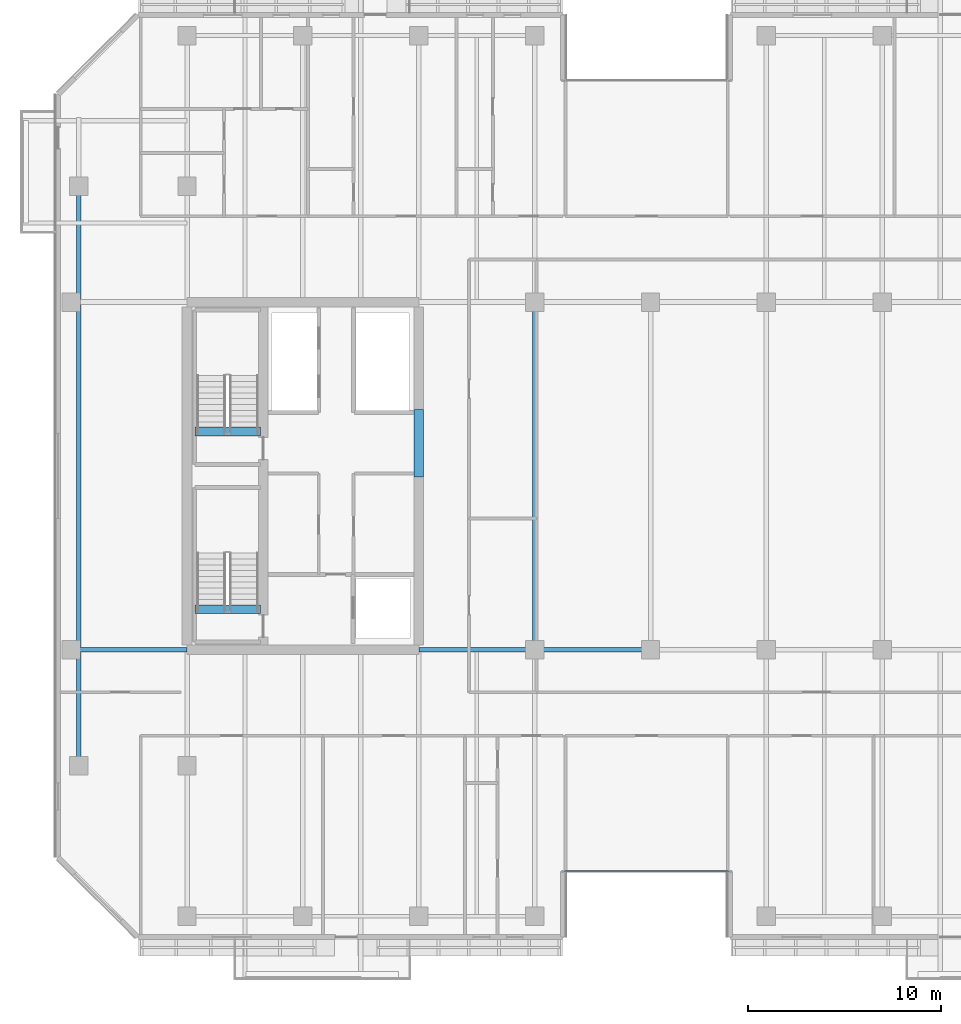
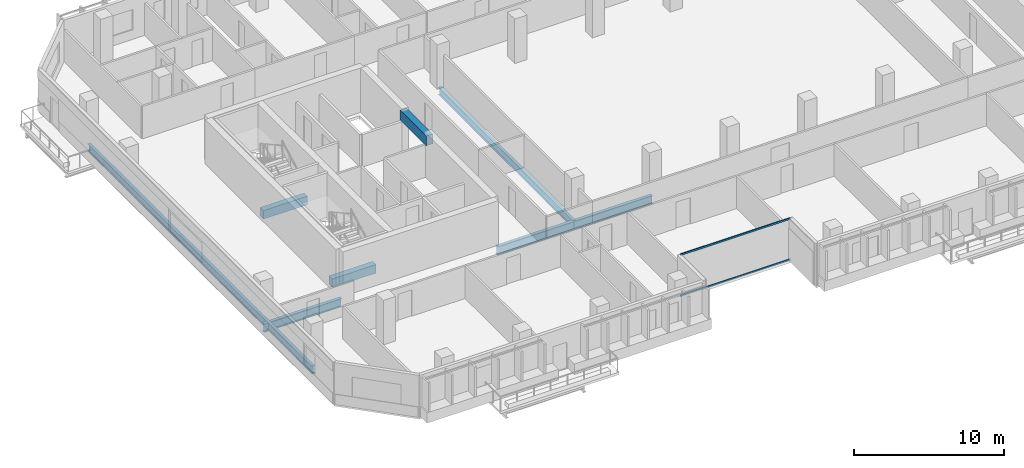
# One storey, part 3 of 22: 8 beams, 2 members, 1 element without a shape of its own.
"""IFC4 building model written with IfcOpenShell, lengths in metres."""

from ifc_helpers import new_model, si_unit, direction, frame, origin, origin_2d, place, context, subcontext, project, spatial, rectangle, hollow_rectangle, i_section, extrude, material, layer, layer_set, material_profile, profile_set, type_object, element, aggregate, save


model = new_model("IFC4")

# Units and contexts
model_context = context("Model", 3, precision=1e-05, world=origin(), true_north=direction((0.0, 1.0)))
body_context = subcontext(model_context, "Body", "Model", "MODEL_VIEW")
ifc_project = project(units=[si_unit("LENGTHUNIT", "METRE"), si_unit("AREAUNIT", "SQUARE_METRE"), si_unit("VOLUMEUNIT", "CUBIC_METRE"), si_unit("PLANEANGLEUNIT", "RADIAN"), si_unit("MASSUNIT", "GRAM", prefix="KILO")], contexts=[model_context])

# Site, building, storey
site_placement = place(None, origin())
site = spatial("IfcSite", under=ifc_project, at=site_placement, CompositionType="ELEMENT")
building_placement = place(site_placement, origin())
building = spatial("IfcBuilding", under=site, at=building_placement, Name="Tanjung Sevakor Pilgrim Tower", CompositionType="ELEMENT")
storey_placement = place(building_placement, frame((0.0, 0.0, 115.830078125)))
storey = spatial("IfcBuildingStorey", under=building, at=storey_placement, Name="L32", CompositionType="ELEMENT", Elevation=115.830078125)

# Beams
ifc_material_1 = material(Name="Steel S355J2", Category="steel")
ifc_material_profile_1 = material_profile(ifc_material_1, i_section(OverallWidth=0.25439453125, OverallDepth=0.6875, WebThickness=0.01318359375, FlangeThickness=0.02099609375, FilletRadius=0.01513671875, at=origin_2d()))
ifc_profile_set_1 = profile_set([ifc_material_profile_1], Name="Steel S355J2")
beam_type_1 = type_object("IfcBeamType", Name="BM-B-G2-UB_686x254x152", PredefinedType="BEAM", material=ifc_profile_set_1)
for number, where, z_axis, x_axis, name in (
    (1, (18.0, 24.60009765625, -0.56396484375), (1.0, 0.0, 0.0), (0.0, 1.0, 0.0), "L32 Primary Floor Girder MAIN Y246-01"),
    (2, (36.0, 24.60009765625, -0.56396484375), (1.0, 0.0, 0.0), (0.0, 1.0, 0.0), "L32 Primary Floor Girder MAIN Y246-02"),
    (3, (42.0, 24.60009765625, -0.56396484375), (1.0, 0.0, 0.0), (0.0, 1.0, 0.0), "L32 Primary Floor Girder MAIN Y246-03"),
):
    element("IfcBeam", number, at=place(storey_placement, frame(where, z_axis=z_axis, x_axis=x_axis)), inside=storey, type_object=beam_type_1, Name=name, PredefinedType="BEAM", context=body_context, shape_type="SweptSolid", body=[
        extrude(i_section(OverallWidth=0.25439453125, OverallDepth=0.6875, WebThickness=0.01318359375, FlangeThickness=0.02099609375, FilletRadius=0.01513671875, at=origin_2d()), origin(), (0.0, 0.0, 1.0), 6.0),
    ])
ifc_material_2 = material(Name="Steel S355J2", Category="steel")
ifc_material_profile_2 = material_profile(ifc_material_2, i_section(OverallWidth=0.230224609375, OverallDepth=0.6171875, WebThickness=0.01318359375, FlangeThickness=0.022216796875, FilletRadius=0.0126953125, at=origin_2d()))
ifc_profile_set_2 = profile_set([ifc_material_profile_2], Name="Steel S355J2")
beam_type_2 = type_object("IfcBeamType", Name="BM-B-G3-UB_610x229x140", PredefinedType="BEAM", material=ifc_profile_set_2)
beam_1_placement = place(storey_placement, frame((42.0, 24.60009765625, -0.528564453125), z_axis=(0.0, 1.0, 0.0), x_axis=(-1.0, 0.0, 0.0)))
element("IfcBeam", 4, at=beam_1_placement, inside=storey, type_object=beam_type_2, Name="L32 MAIN Girder 010", PredefinedType="BEAM", context=body_context, shape_type="SweptSolid", body=[
    extrude(i_section(OverallWidth=0.230224609375, OverallDepth=0.6171875, WebThickness=0.01318359375, FlangeThickness=0.022216796875, FilletRadius=0.0126953125, at=origin_2d()), origin(), (0.0, 0.0, 1.0), 18.0),
])
ifc_material_3 = material(Name="Steel S355J2", Category="steel")
ifc_material_profile_3 = material_profile(ifc_material_3, i_section(OverallWidth=0.22900390625, OverallDepth=0.6123046875, WebThickness=0.011962890625, FlangeThickness=0.01953125, FilletRadius=0.0126953125, at=origin_2d()))
ifc_profile_set_3 = profile_set([ifc_material_profile_3], Name="Steel S355J2")
beam_type_3 = type_object("IfcBeamType", Name="BM-B-G4-UB_610x229x125", PredefinedType="BEAM", material=ifc_profile_set_3)
beam_2_placement = place(storey_placement, frame((18.39990234375, 18.60009765625, -0.526123046875), z_axis=(0.0, 1.0, 0.0), x_axis=(-1.0, 0.0, 0.0)))
element("IfcBeam", 5, at=beam_2_placement, inside=storey, type_object=beam_type_3, Name="L32 Short-End Edge Girder W", PredefinedType="BEAM", context=body_context, shape_type="SweptSolid", body=[
    extrude(i_section(OverallWidth=0.22900390625, OverallDepth=0.6123046875, WebThickness=0.011962890625, FlangeThickness=0.01953125, FilletRadius=0.0126953125, at=origin_2d()), origin(), (0.0, 0.0, 1.0), 30.0),
])
ifc_material_4 = material(Name="Concrete C60/75", Category="concrete")
ifc_material_profile_4 = material_profile(ifc_material_4, rectangle(XDim=0.5, YDim=0.800048828125, at=origin_2d()))
ifc_profile_set_4 = profile_set([ifc_material_profile_4], Name="Concrete C60/75")
beam_type_4 = type_object("IfcBeamType", Name="BM-B-LN2-RC-BM_500x800", PredefinedType="LINTEL", material=ifc_profile_set_4)
beam_3_placement = place(storey_placement, frame((36.0, 33.550048828125, 3.010009765625), z_axis=(0.0, 1.0, 0.0), x_axis=(-1.0, 0.0, 0.0)))
element("IfcBeam", 6, at=beam_3_placement, inside=storey, type_object=beam_type_4, Name="L32 W Core Coupling Lintel", PredefinedType="LINTEL", context=body_context, shape_type="SweptSolid", body=[
    extrude(rectangle(XDim=0.5, YDim=0.800048828125, at=origin_2d()), origin(), (0.0, 0.0, 1.0), 3.5),
])
ifc_material_5 = material(Name="Concrete C60/75", Category="concrete")
ifc_material_profile_5 = material_profile(ifc_material_5, rectangle(XDim=0.449951171875, YDim=0.699951171875, at=origin_2d()))
ifc_profile_set_5 = profile_set([ifc_material_profile_5], Name="Concrete C60/75")
beam_type_5 = type_object("IfcBeamType", Name="BM-B-LN3-RC-BM_450x700", PredefinedType="LINTEL", material=ifc_profile_set_5)
for number, where, z_axis, x_axis, name in (
    (7, (24.39990234375, 26.699951171875, -0.35009765625), (1.0, 0.0, 0.0), (0.0, 1.0, 0.0), "L32 TS-W1 Stair Threshold Beam"),
    (8, (24.39990234375, 35.89990234375, -0.35009765625), (1.0, 0.0, 0.0), (0.0, 1.0, 0.0), "L32 TS-W2 Stair Threshold Beam"),
):
    element("IfcBeam", number, at=place(storey_placement, frame(where, z_axis=z_axis, x_axis=x_axis)), inside=storey, type_object=beam_type_5, Name=name, PredefinedType="LINTEL", context=body_context, shape_type="SweptSolid", body=[
        extrude(rectangle(XDim=0.449951171875, YDim=0.699951171875, at=origin_2d()), origin(), (0.0, 0.0, 1.0), 3.400146484375),
    ])

# Curtain wall, members
ifc_material_6 = material(Name="Aluminium 6063-T6 and Low-E Glass", Category="aluminium")
ifc_layer = layer(ifc_material_6, 0.179931640625)
ifc_layer_set = layer_set([ifc_layer], Name="CW-SYS-CLEFT")
curtain_wall_type = type_object("IfcCurtainWallType", Name="CW-SYS-CLEFT", PredefinedType="NOTDEFINED", material=ifc_layer_set)
curtain_wall_placement = place(storey_placement, origin())
curtain_wall = element("IfcCurtainWall", 9, at=curtain_wall_placement, inside=storey, type_object=curtain_wall_type, Name="L32 Curtain Wall CW-CLF-L32-2", PredefinedType="NOTDEFINED")
ifc_material_7 = material(Name="Aluminium 6063-T6", Category="aluminium")
ifc_material_profile_6 = material_profile(ifc_material_7, hollow_rectangle(XDim=0.06494140625, YDim=0.139892578125, WallThickness=0.00390625, at=origin_2d()))
ifc_profile_set_6 = profile_set([ifc_material_profile_6], Name="Aluminium 6063-T6")
member_type = type_object("IfcMemberType", Name="TYPE-CWT-1", PredefinedType="USERDEFINED", material=ifc_profile_set_6)
member_1_placement = place(storey_placement, frame((43.550048828125, 13.125, 0.032470703125), z_axis=(1.0, 0.0, 0.0), x_axis=(0.0, 1.0, 0.0)))
member_1 = element("IfcMember", 10, at=member_1_placement, type_object=member_type, Name="CW-CLF transom 1.1", ObjectType="TRANSOM", PredefinedType="USERDEFINED", context=body_context, shape_type="SweptSolid", body=[
    extrude(hollow_rectangle(XDim=0.06494140625, YDim=0.139892578125, WallThickness=0.00390625, at=origin_2d()), origin(), (0.0, 0.0, 1.0), 8.5),
])
member_2_placement = place(storey_placement, frame((43.550048828125, 13.125, 3.37744140625), z_axis=(1.0, 0.0, 0.0), x_axis=(0.0, 1.0, 0.0)))
member_2 = element("IfcMember", 11, at=member_2_placement, type_object=member_type, Name="CW-CLF transom 1.2", ObjectType="TRANSOM", PredefinedType="USERDEFINED", context=body_context, shape_type="SweptSolid", body=[
    extrude(hollow_rectangle(XDim=0.06494140625, YDim=0.139892578125, WallThickness=0.00390625, at=origin_2d()), origin(), (0.0, 0.0, 1.0), 8.5),
])
aggregate(curtain_wall, [member_1, member_2])

save(model, "model.ifc")
